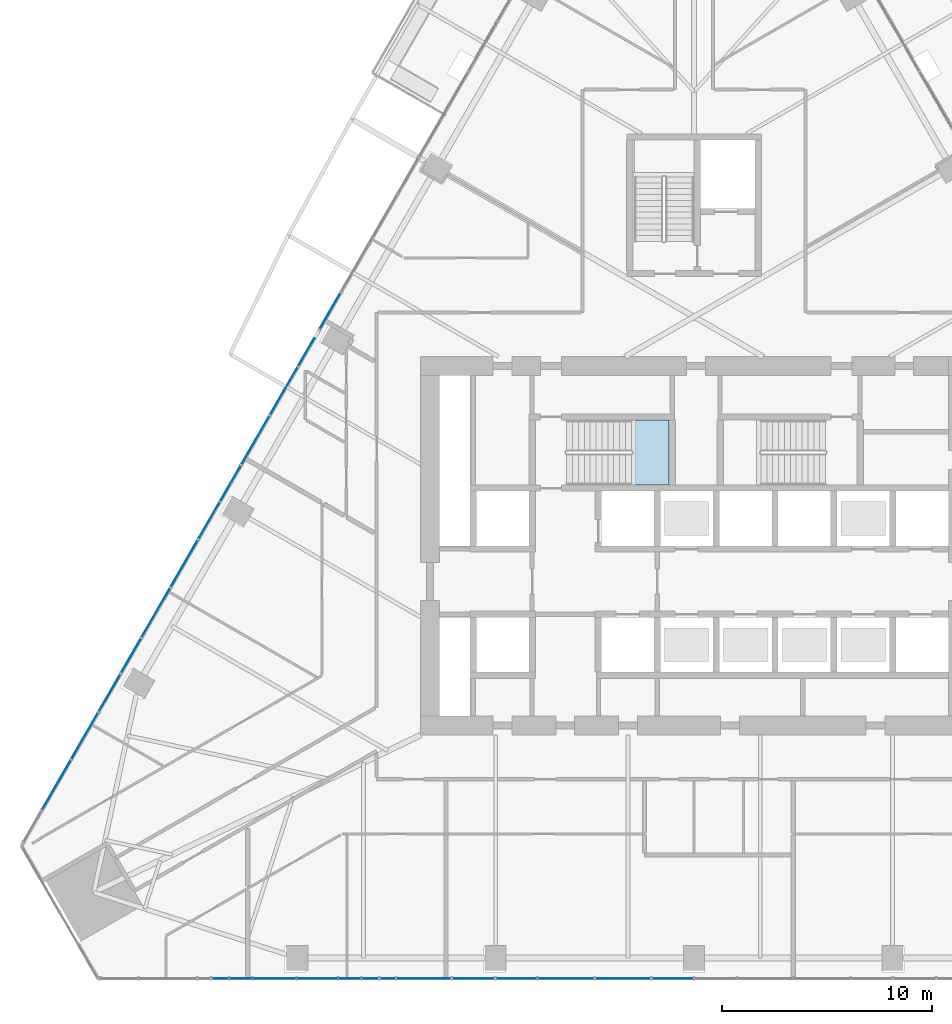
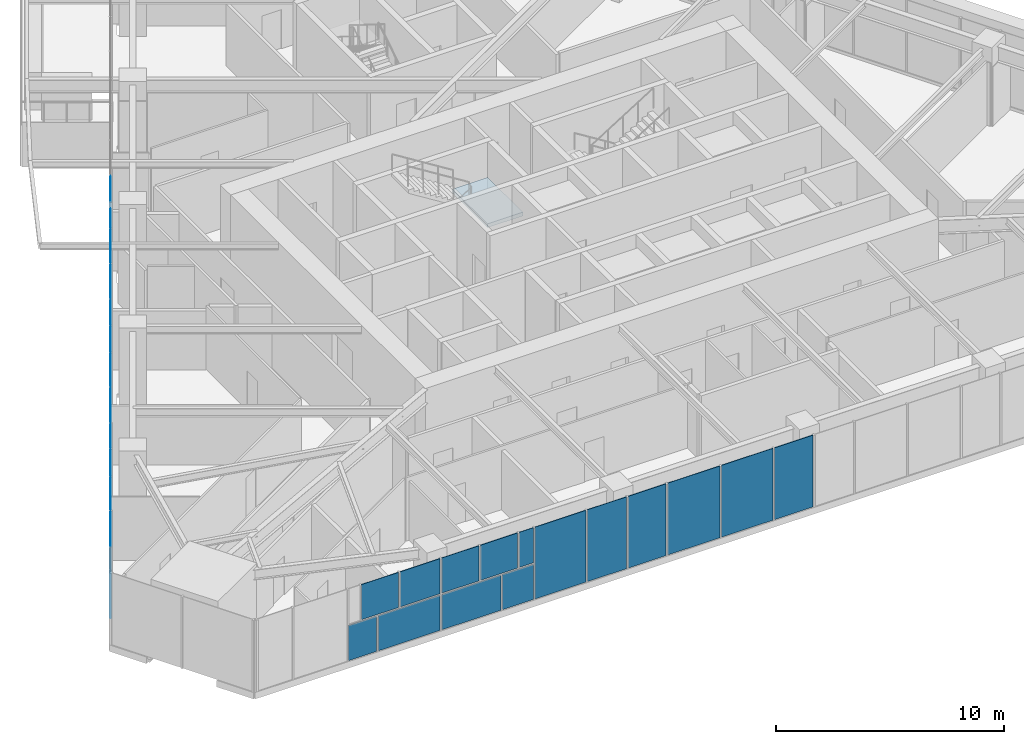
# One storey, part 13 of 29: 27 plates, 1 slab, 3 elements without a shape of their own.
"""IFC4 building model written with IfcOpenShell, lengths in metres."""

from ifc_helpers import new_model, si_unit, direction, frame, origin, place, context, subcontext, project, spatial, polyline, outline, extrude, material, layer, layer_set, type_object, element, aggregate, save


model = new_model("IFC4")

# Units and contexts
model_context = context("Model", 3, precision=1e-05, world=origin(), true_north=direction((0.0, 1.0)))
body_context = subcontext(model_context, "Body", "Model", "MODEL_VIEW")
ifc_project = project(units=[si_unit("LENGTHUNIT", "METRE"), si_unit("AREAUNIT", "SQUARE_METRE"), si_unit("VOLUMEUNIT", "CUBIC_METRE"), si_unit("PLANEANGLEUNIT", "RADIAN"), si_unit("MASSUNIT", "GRAM", prefix="KILO")], contexts=[model_context])

# Site, building, storey
site_placement = place(None, origin())
site = spatial("IfcSite", under=ifc_project, at=site_placement, CompositionType="ELEMENT")
building_placement = place(site_placement, origin())
building = spatial("IfcBuilding", under=site, at=building_placement, Name="Firuza Gate Tower and Library", CompositionType="ELEMENT")
storey_placement = place(building_placement, frame((0.0, 0.0, 82.0)))
storey = spatial("IfcBuildingStorey", under=building, at=storey_placement, Name="L18", CompositionType="ELEMENT", Elevation=82.0)

# Curtain wall, plates
ifc_material_1 = material(Name="Aluminium 6063-T6", Category="aluminium")
ifc_layer_1 = layer(ifc_material_1, 0.14990234375)
ifc_layer_set_1 = layer_set([ifc_layer_1], Name="Unitised curtain wall, offices")
curtain_wall_type = type_object("IfcCurtainWallType", Name="Unitised curtain wall, offices", PredefinedType="NOTDEFINED", material=ifc_layer_set_1)
placement = place(storey_placement, origin())
curtain_wall_1 = element("IfcCurtainWall", 1, at=placement, inside=storey, type_object=curtain_wall_type, Name="CW1 L18 S face", PredefinedType="NOTDEFINED")
ifc_material_2 = material(Name="Fritted glass", Category="glass")
ifc_layer_2 = layer(ifc_material_2, 0.030029296875)
ifc_layer_set_2 = layer_set([ifc_layer_2], Name="Fritted glass unit, offices")
plate_type_1 = type_object("IfcPlateType", Name="Fritted glass unit, offices", PredefinedType="CURTAIN_PANEL", material=ifc_layer_set_2)
plate_1_placement = place(storey_placement, frame((52.922607421875, 54.4091796875, 0.14990234375), z_axis=(0.0, -1.0, 0.0), x_axis=(1.0, 0.0, 0.0)))
plate_1 = element("IfcPlate", 2, at=plate_1_placement, type_object=plate_type_1, Name="Glass unit", PredefinedType="CURTAIN_PANEL", context=body_context, shape_type="SweptSolid", body=[
    extrude(outline(polyline([(0.0, 0.0), (3.13623046875, 0.0), (3.13623046875, 1.885009765625), (0.0, 1.885009765625), (0.0, 0.0)])), origin(), (0.0, 0.0, -1.0), 0.030029296875),
])
plate_2_placement = place(storey_placement, frame((54.031982421875, 54.4091796875, 2.114990234375), z_axis=(0.0, -1.0, 0.0), x_axis=(1.0, 0.0, 0.0)))
plate_2 = element("IfcPlate", 3, at=plate_2_placement, type_object=plate_type_1, Name="Glass unit", PredefinedType="CURTAIN_PANEL", context=body_context, shape_type="SweptSolid", body=[
    extrude(outline(polyline([(0.0, 0.0), (2.02685546875, 0.0), (2.02685546875, 1.885009765625), (0.0, 1.885009765625), (0.0, 0.0)])), origin(), (0.0, 0.0, -1.0), 0.030029296875),
])
plate_3_placement = place(storey_placement, frame((56.138916015625, 54.4091796875, 0.14990234375), z_axis=(0.0, -1.0, 0.0), x_axis=(1.0, 0.0, 0.0)))
plate_3 = element("IfcPlate", 4, at=plate_3_placement, type_object=plate_type_1, Name="Glass unit", PredefinedType="CURTAIN_PANEL", context=body_context, shape_type="SweptSolid", body=[
    extrude(outline(polyline([(0.0, 0.0), (2.997314453125, 0.0), (2.997314453125, 1.885009765625), (0.0, 1.885009765625), (0.0, 0.0)])), origin(), (0.0, 0.0, -1.0), 0.030029296875),
])
plate_4_placement = place(storey_placement, frame((56.138916015625, 54.4091796875, 2.114990234375), z_axis=(0.0, -1.0, 0.0), x_axis=(1.0, 0.0, 0.0)))
plate_4 = element("IfcPlate", 5, at=plate_4_placement, type_object=plate_type_1, Name="Glass unit", PredefinedType="CURTAIN_PANEL", context=body_context, shape_type="SweptSolid", body=[
    extrude(outline(polyline([(0.0, 0.0), (1.8876953125, 0.0), (1.8876953125, 1.885009765625), (0.0, 1.885009765625), (0.0, 0.0)])), origin(), (0.0, 0.0, -1.0), 0.030029296875),
])
plate_5_placement = place(storey_placement, frame((60.06494140625, 54.4091796875, 2.114990234375), z_axis=(0.0, -1.0, 0.0), x_axis=(1.0, 0.0, 0.0)))
plate_5 = element("IfcPlate", 6, at=plate_5_placement, type_object=plate_type_1, Name="Glass unit", PredefinedType="CURTAIN_PANEL", context=body_context, shape_type="SweptSolid", body=[
    extrude(outline(polyline([(0.0, 0.0), (0.71923828125, 0.0), (0.71923828125, 1.885009765625), (0.0, 1.885009765625), (0.0, 0.0)])), origin(), (0.0, 0.0, -1.0), 0.030029296875),
])
plate_6_placement = place(storey_placement, frame((63.517333984375, 54.4091796875, 0.14990234375), z_axis=(0.0, -1.0, 0.0), x_axis=(1.0, 0.0, 0.0)))
plate_6 = element("IfcPlate", 7, at=plate_6_placement, type_object=plate_type_1, Name="Glass unit", PredefinedType="CURTAIN_PANEL", context=body_context, shape_type="SweptSolid", body=[
    extrude(outline(polyline([(0.0, 0.0), (1.9921875, 0.0), (1.9921875, 3.85009765625), (0.0, 3.85009765625), (0.0, 0.0)])), origin(), (0.0, 0.0, -1.0), 0.030029296875),
])
plate_7_placement = place(storey_placement, frame((65.58935546875, 54.4091796875, 0.14990234375), z_axis=(0.0, -1.0, 0.0), x_axis=(1.0, 0.0, 0.0)))
plate_7 = element("IfcPlate", 8, at=plate_7_placement, type_object=plate_type_1, Name="Glass unit", PredefinedType="CURTAIN_PANEL", context=body_context, shape_type="SweptSolid", body=[
    extrude(outline(polyline([(0.0, 0.0), (1.922607421875, 0.0), (1.922607421875, 3.85009765625), (0.0, 3.85009765625), (0.0, 0.0)])), origin(), (0.0, 0.0, -1.0), 0.030029296875),
])
plate_8_placement = place(storey_placement, frame((73.002685546875, 54.4091796875, 0.14990234375), z_axis=(0.0, -1.0, 0.0), x_axis=(1.0, 0.0, 0.0)))
plate_8 = element("IfcPlate", 9, at=plate_8_placement, type_object=plate_type_1, Name="Glass unit", PredefinedType="CURTAIN_PANEL", context=body_context, shape_type="SweptSolid", body=[
    extrude(outline(polyline([(0.0, 0.0), (1.957275390625, 0.0), (1.957275390625, 3.85009765625), (0.0, 3.85009765625), (0.0, 0.0)])), origin(), (0.0, 0.0, -1.0), 0.030029296875),
])

curtain_wall_2 = element("IfcCurtainWall", 10, at=placement, inside=storey, type_object=curtain_wall_type, Name="CW1 L18 W face", PredefinedType="NOTDEFINED")
plate_9_placement = place(storey_placement, frame((58.16650390625, 87.025146484375, 0.14990234375), z_axis=(-0.866000715923, 0.500042758193, 0.0), x_axis=(-0.500042758193, -0.866000715923, 0.0)))
plate_9 = element("IfcPlate", 11, at=plate_9_placement, type_object=plate_type_1, Name="Glass unit", PredefinedType="CURTAIN_PANEL", context=body_context, shape_type="SweptSolid", body=[
    extrude(outline(polyline([(0.0, 0.0), (1.9573521455682314, 0.0), (1.9573521455682314, 3.85009765625), (0.0, 3.85009765625), (0.0, 0.0)])), origin(), (0.0, 0.0, -1.0), 0.030029296875),
])
plate_10_placement = place(storey_placement, frame((56.92431640625, 84.873779296875, 0.14990234375), z_axis=(-0.866056390234, 0.499946326053, 0.0), x_axis=(-0.499946326053, -0.866056390234, 0.0)))
plate_10 = element("IfcPlate", 12, at=plate_10_placement, type_object=plate_type_1, Name="Glass unit", PredefinedType="CURTAIN_PANEL", context=body_context, shape_type="SweptSolid", body=[
    extrude(outline(polyline([(0.0, 0.0), (1.5104160462301448, 0.0), (1.5104160462301448, 3.85009765625), (0.0, 3.85009765625), (0.0, 0.0)])), origin(), (0.0, 0.0, -1.0), 0.030029296875),
])
plate_11_placement = place(storey_placement, frame((53.423828125, 78.810546875, 0.14990234375), z_axis=(-0.866054481515, 0.499949632511, 0.0), x_axis=(-0.499949632511, -0.866054481515, 0.0)))
plate_11 = element("IfcPlate", 13, at=plate_11_placement, type_object=plate_type_1, Name="Glass unit", PredefinedType="CURTAIN_PANEL", context=body_context, shape_type="SweptSolid", body=[
    extrude(outline(polyline([(0.0, 0.0), (1.9225569499823523, 0.0), (1.9225569499823523, 3.85009765625), (0.0, 3.85009765625), (0.0, 0.0)])), origin(), (0.0, 0.0, -1.0), 0.030029296875),
])
plate_12_placement = place(storey_placement, frame((52.422607421875, 77.076416015625, 0.14990234375), z_axis=(-0.866032532966, 0.499987651691, 0.0), x_axis=(-0.499987651691, -0.866032532966, 0.0)))
plate_12 = element("IfcPlate", 14, at=plate_12_placement, type_object=plate_type_1, Name="Glass unit", PredefinedType="CURTAIN_PANEL", context=body_context, shape_type="SweptSolid", body=[
    extrude(outline(polyline([(0.0, 0.0), (1.9922367015073577, 0.0), (1.9922367015073577, 3.85009765625), (0.0, 3.85009765625), (0.0, 0.0)])), origin(), (0.0, 0.0, -1.0), 0.030029296875),
])
plate_13_placement = place(storey_placement, frame((48.68115234375, 70.59619140625, 0.14990234375), z_axis=(-0.866054227, 0.499950073403, 0.0), x_axis=(-0.499950073403, -0.866054227, 0.0)))
plate_13 = element("IfcPlate", 15, at=plate_13_placement, type_object=plate_type_1, Name="Glass unit", PredefinedType="CURTAIN_PANEL", context=body_context, shape_type="SweptSolid", body=[
    extrude(outline(polyline([(0.0, 0.0), (1.887883823729028, 0.0), (1.887883823729028, 3.85009765625), (0.0, 3.85009765625), (0.0, 0.0)])), origin(), (0.0, 0.0, -1.0), 0.030029296875),
])
plate_14_placement = place(storey_placement, frame((47.697265625, 68.891845703125, 0.14990234375), z_axis=(-0.866003030001, 0.500038750527, 0.0), x_axis=(-0.500038750527, -0.866003030001, 0.0)))
plate_14 = element("IfcPlate", 16, at=plate_14_placement, type_object=plate_type_1, Name="Glass unit", PredefinedType="CURTAIN_PANEL", context=body_context, shape_type="SweptSolid", body=[
    extrude(outline(polyline([(0.0, 0.0), (2.026698397489447, 0.0), (2.026698397489447, 3.85009765625), (0.0, 3.85009765625), (0.0, 0.0)])), origin(), (0.0, 0.0, -1.0), 0.030029296875),
])

# Plate
ifc_material_3 = material(Name="Glazed ceramic tile")
ifc_layer_3 = layer(ifc_material_3, 0.030029296875)
ifc_layer_set_3 = layer_set([ifc_layer_3], Name="Opaque ceramic panel, offices")
plate_type_2 = type_object("IfcPlateType", Name="Opaque ceramic panel, offices", PredefinedType="CURTAIN_PANEL", material=ifc_layer_set_3)
plate_15_placement = place(storey_placement, frame((51.41357421875, 54.4091796875, 0.14990234375), z_axis=(0.0, -1.0, 0.0), x_axis=(1.0, 0.0, 0.0)))
plate_15 = element("IfcPlate", 17, at=plate_15_placement, type_object=plate_type_2, Name="Opaque ceramic panel", PredefinedType="CURTAIN_PANEL", context=body_context, shape_type="SweptSolid", body=[
    extrude(outline(polyline([(0.0, 0.0), (1.428955078125, 0.0), (1.428955078125, 1.885009765625), (0.0, 1.885009765625), (0.0, 0.0)])), origin(), (0.0, 0.0, -1.0), 0.030029296875),
])

plate_16_placement = place(storey_placement, frame((52.073974609375, 54.4091796875, 2.114990234375), z_axis=(0.0, -1.0, 0.0), x_axis=(1.0, 0.0, 0.0)))
plate_16 = element("IfcPlate", 18, at=plate_16_placement, type_object=plate_type_2, Name="Opaque ceramic panel", PredefinedType="CURTAIN_PANEL", context=body_context, shape_type="SweptSolid", body=[
    extrude(outline(polyline([(0.0, 0.0), (1.878173828125, 0.0), (1.878173828125, 1.885009765625), (0.0, 1.885009765625), (0.0, 0.0)])), origin(), (0.0, 0.0, -1.0), 0.030029296875),
])

plate_17_placement = place(storey_placement, frame((59.216064453125, 54.4091796875, 0.14990234375), z_axis=(0.0, -1.0, 0.0), x_axis=(1.0, 0.0, 0.0)))
plate_17 = element("IfcPlate", 19, at=plate_17_placement, type_object=plate_type_2, Name="Opaque ceramic panel", PredefinedType="CURTAIN_PANEL", context=body_context, shape_type="SweptSolid", body=[
    extrude(outline(polyline([(0.0, 0.0), (1.568115234375, 0.0), (1.568115234375, 1.885009765625), (0.0, 1.885009765625), (0.0, 0.0)])), origin(), (0.0, 0.0, -1.0), 0.030029296875),
])

plate_18_placement = place(storey_placement, frame((58.106689453125, 54.4091796875, 2.114990234375), z_axis=(0.0, -1.0, 0.0), x_axis=(1.0, 0.0, 0.0)))
plate_18 = element("IfcPlate", 20, at=plate_18_placement, type_object=plate_type_2, Name="Opaque ceramic panel", PredefinedType="CURTAIN_PANEL", context=body_context, shape_type="SweptSolid", body=[
    extrude(outline(polyline([(0.0, 0.0), (1.878173828125, 0.0), (1.878173828125, 1.885009765625), (0.0, 1.885009765625), (0.0, 0.0)])), origin(), (0.0, 0.0, -1.0), 0.030029296875),
])

plate_19_placement = place(storey_placement, frame((60.8642578125, 54.4091796875, 0.14990234375), z_axis=(0.0, -1.0, 0.0), x_axis=(1.0, 0.0, 0.0)))
plate_19 = element("IfcPlate", 21, at=plate_19_placement, type_object=plate_type_2, Name="Opaque ceramic panel", PredefinedType="CURTAIN_PANEL", context=body_context, shape_type="SweptSolid", body=[
    extrude(outline(polyline([(0.0, 0.0), (2.5732421875, 0.0), (2.5732421875, 3.85009765625), (0.0, 3.85009765625), (0.0, 0.0)])), origin(), (0.0, 0.0, -1.0), 0.030029296875),
])

plate_20_placement = place(storey_placement, frame((67.592041015625, 54.4091796875, 0.14990234375), z_axis=(0.0, -1.0, 0.0), x_axis=(1.0, 0.0, 0.0)))
plate_20 = element("IfcPlate", 22, at=plate_20_placement, type_object=plate_type_2, Name="Opaque ceramic panel", PredefinedType="CURTAIN_PANEL", context=body_context, shape_type="SweptSolid", body=[
    extrude(outline(polyline([(0.0, 0.0), (2.642578125, 0.0), (2.642578125, 3.85009765625), (0.0, 3.85009765625), (0.0, 0.0)])), origin(), (0.0, 0.0, -1.0), 0.030029296875),
])

plate_21_placement = place(storey_placement, frame((70.314697265625, 54.4091796875, 0.14990234375), z_axis=(0.0, -1.0, 0.0), x_axis=(1.0, 0.0, 0.0)))
plate_21 = element("IfcPlate", 23, at=plate_21_placement, type_object=plate_type_2, Name="Opaque ceramic panel", PredefinedType="CURTAIN_PANEL", context=body_context, shape_type="SweptSolid", body=[
    extrude(outline(polyline([(0.0, 0.0), (2.60791015625, 0.0), (2.60791015625, 3.85009765625), (0.0, 3.85009765625), (0.0, 0.0)])), origin(), (0.0, 0.0, -1.0), 0.030029296875),
])

aggregate(curtain_wall_1, [plate_15, plate_1, plate_16, plate_2, plate_3, plate_17, plate_4, plate_18, plate_5, plate_19, plate_6, plate_7, plate_20, plate_21, plate_8])

plate_22_placement = place(storey_placement, frame((56.129150390625, 83.496337890625, 0.14990234375), z_axis=(-0.866028133496, 0.499995271971, 0.0), x_axis=(-0.499995271971, -0.866028133496, 0.0)))
plate_22 = element("IfcPlate", 24, at=plate_22_placement, type_object=plate_type_2, Name="Opaque ceramic panel", PredefinedType="CURTAIN_PANEL", context=body_context, shape_type="SweptSolid", body=[
    extrude(outline(polyline([(0.0, 0.0), (2.607934817033456, 0.0), (2.607934817033456, 3.850097656250001), (0.0, 3.850097656250001), (0.0, 0.0)])), origin(), (0.0, 0.0, -1.0), 0.030029296875),
])

plate_23_placement = place(storey_placement, frame((54.78515625, 81.16845703125, 0.14990234375), z_axis=(-0.866028661061, 0.499994358189, 0.0), x_axis=(-0.499994358189, -0.866028661061, 0.0)))
plate_23 = element("IfcPlate", 25, at=plate_23_placement, type_object=plate_type_2, Name="Opaque ceramic panel", PredefinedType="CURTAIN_PANEL", context=body_context, shape_type="SweptSolid", body=[
    extrude(outline(polyline([(0.0, 0.0), (2.642607943189701, 0.0), (2.642607943189701, 3.85009765625), (0.0, 3.85009765625), (0.0, 0.0)])), origin(), (0.0, 0.0, -1.0), 0.030029296875),
])

plate_24_placement = place(storey_placement, frame((51.386474609375, 75.281982421875, 0.14990234375), z_axis=(-0.866027591713, 0.499996210378, 0.0), x_axis=(-0.499996210378, -0.866027591713, 0.0)))
plate_24 = element("IfcPlate", 26, at=plate_24_placement, type_object=plate_type_2, Name="Opaque ceramic panel", PredefinedType="CURTAIN_PANEL", context=body_context, shape_type="SweptSolid", body=[
    extrude(outline(polyline([(0.0, 0.0), (2.5732616908801926, 0.0), (2.5732616908801926, 3.85009765625), (0.0, 3.85009765625), (0.0, 0.0)])), origin(), (0.0, 0.0, -1.0), 0.030029296875),
])

plate_25_placement = place(storey_placement, frame((50.059814453125, 72.984130859375, 0.14990234375), z_axis=(-0.866051969105, 0.499953984692, 0.0), x_axis=(-0.499953984692, -0.866051969105, 0.0)))
plate_25 = element("IfcPlate", 27, at=plate_25_placement, type_object=plate_type_2, Name="Opaque ceramic panel", PredefinedType="CURTAIN_PANEL", context=body_context, shape_type="SweptSolid", body=[
    extrude(outline(polyline([(0.0, 0.0), (2.6774925050354534, 0.0), (2.6774925050354534, 3.85009765625), (0.0, 3.85009765625), (0.0, 0.0)])), origin(), (0.0, 0.0, -1.0), 0.030029296875),
])

plate_26_placement = place(storey_placement, frame((46.643798828125, 67.0673828125, 0.14990234375), z_axis=(-0.866027035129, 0.499997174418, 0.0), x_axis=(-0.499997174418, -0.866027035129, 0.0)))
plate_26 = element("IfcPlate", 28, at=plate_26_placement, type_object=plate_type_2, Name="Opaque ceramic panel", PredefinedType="CURTAIN_PANEL", context=body_context, shape_type="SweptSolid", body=[
    extrude(outline(polyline([(0.0, 0.0), (2.5385885647300332, 0.0), (2.5385885647300332, 3.85009765625), (0.0, 3.85009765625), (0.0, 0.0)])), origin(), (0.0, 0.0, -1.0), 0.030029296875),
])

plate_27_placement = place(storey_placement, frame((45.334716796875, 64.799560546875, 0.14990234375), z_axis=(-0.865990693744, 0.500060114735, 0.0), x_axis=(-0.500060114735, -0.865990693744, 0.0)))
plate_27 = element("IfcPlate", 29, at=plate_27_placement, type_object=plate_type_2, Name="Opaque ceramic panel", PredefinedType="CURTAIN_PANEL", context=body_context, shape_type="SweptSolid", body=[
    extrude(outline(polyline([(0.0, 0.0), (2.712076272258357, 0.0), (2.712076272258357, 3.850097656250001), (0.0, 3.850097656250001), (0.0, 0.0)])), origin(), (0.0, 0.0, -1.0), 0.030029296875),
])

aggregate(curtain_wall_2, [plate_9, plate_10, plate_22, plate_23, plate_11, plate_12, plate_24, plate_25, plate_13, plate_14, plate_26, plate_27])

# Stair, slab
ifc_material_4 = material(Name="Concrete C35/45", Category="concrete")
stair_type = type_object("IfcStairType", Name="Exit stair ST5", PredefinedType="HALF_TURN_STAIR", material=ifc_material_4)
stair = element("IfcStair", 30, at=placement, inside=storey, type_object=stair_type, Name="L18 Stair ST1", PredefinedType="HALF_TURN_STAIR")
ifc_material_5 = material(Name="Concrete C35/45", Category="concrete")
ifc_layer_4 = layer(ifc_material_5, 0.199951171875)
ifc_layer_set_4 = layer_set([ifc_layer_4], Name="Stair landing 200")
slab_type = type_object("IfcSlabType", Name="Stair landing 200", PredefinedType="LANDING", material=ifc_layer_set_4)
slab_placement = place(storey_placement, frame((0.0, 0.0, 1.89990234375)))
slab = element("IfcSlab", 31, at=slab_placement, type_object=slab_type, Name="ST1 landing 1", PredefinedType="LANDING", context=body_context, shape_type="SweptSolid", body=[
    extrude(outline(polyline([(72.02001953125, 77.89990234375), (73.81005859375, 77.89990234375), (73.81005859375, 80.97998046875), (72.02001953125, 80.97998046875), (72.02001953125, 77.89990234375)])), origin(), (0.0, 0.0, 1.0), 0.2001953125),
])
aggregate(stair, [slab])

save(model, "model.ifc")
